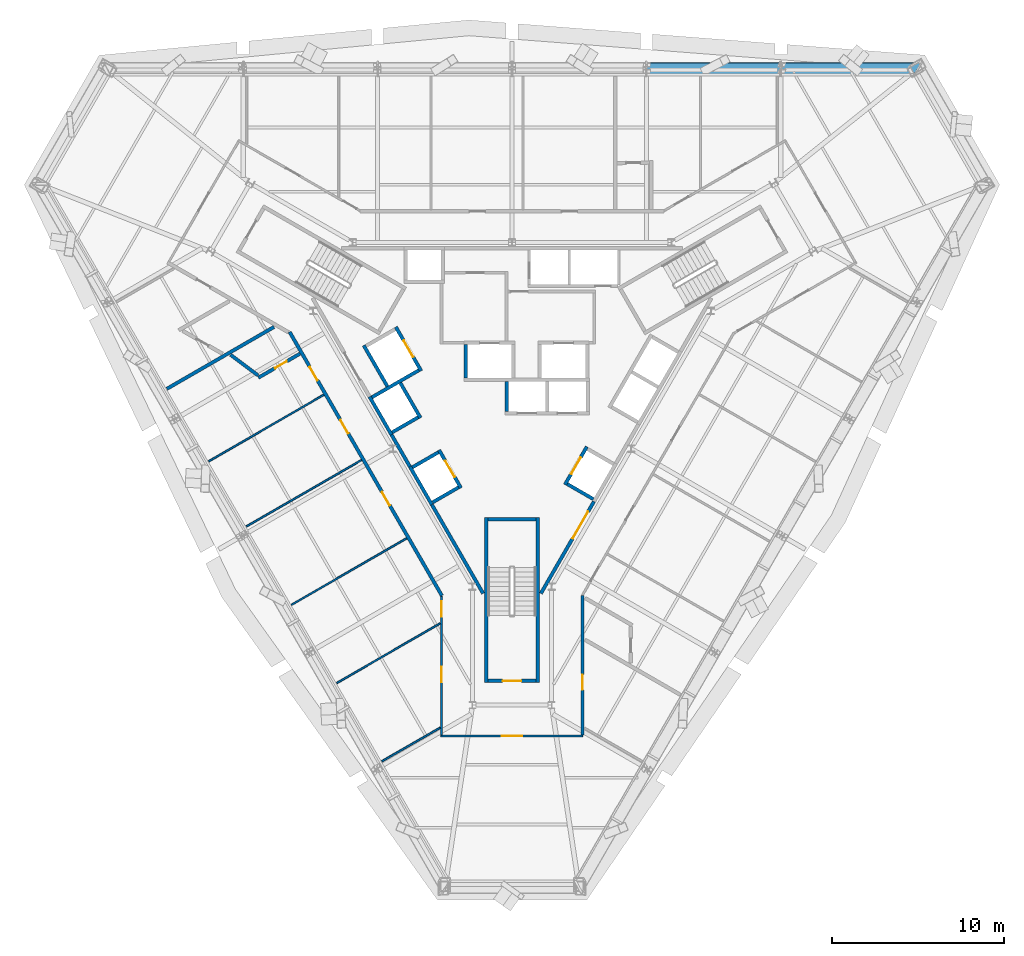
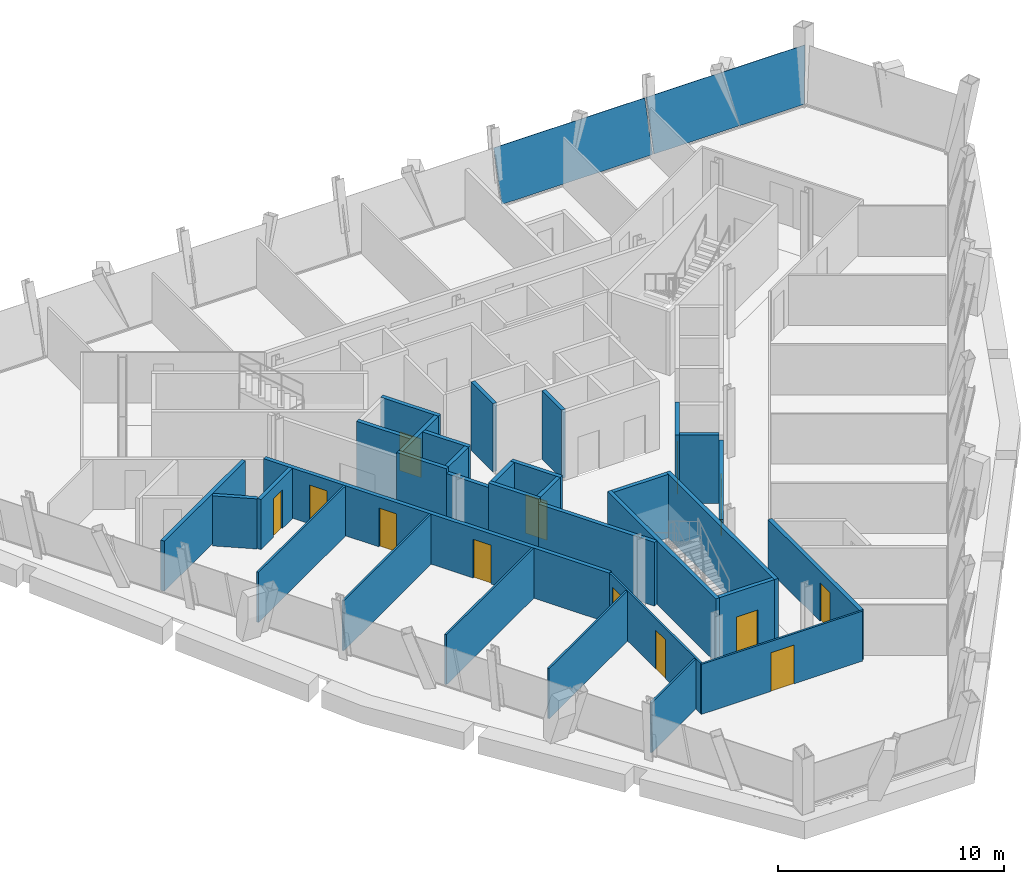
# One storey, part 7 of 12: 33 walls, 13 doors, 2 plates, 13 openings, 1 element without a shape of its own.
"""IFC4 building model written with IfcOpenShell, lengths in metres."""

from ifc_helpers import new_model, si_unit, direction, frame, frame_2d, origin, place, context, subcontext, project, spatial, polyline, rectangle, outline, extrude, material, layer, layer_set, type_object, element, fill, aggregate, save


model = new_model("IFC4")

# Units and contexts
model_context = context("Model", 3, precision=1e-05, world=origin(), true_north=direction((0.0, 1.0)))
body_context = subcontext(model_context, "Body", "Model", "MODEL_VIEW")
ifc_project = project(units=[si_unit("LENGTHUNIT", "METRE"), si_unit("AREAUNIT", "SQUARE_METRE"), si_unit("VOLUMEUNIT", "CUBIC_METRE"), si_unit("PLANEANGLEUNIT", "RADIAN"), si_unit("MASSUNIT", "GRAM", prefix="KILO")], contexts=[model_context])

# Site, building, storey
site_placement = place(None, origin())
site = spatial("IfcSite", under=ifc_project, at=site_placement, CompositionType="ELEMENT")
building_placement = place(site_placement, origin())
building = spatial("IfcBuilding", under=site, at=building_placement, Name="Verrane Prism Tower", CompositionType="ELEMENT")
storey_placement = place(building_placement, frame((0.0, 0.0, 185.800048828125)))
storey = spatial("IfcBuildingStorey", under=building, at=storey_placement, Name="L46", CompositionType="ELEMENT", Elevation=185.800048828125)

# Curtain wall, plates
ifc_material_1 = material(Name="Aluminium framed insulated glazing", Category="aluminium")
curtain_wall_type = type_object("IfcCurtainWallType", Name="Curtain wall CW-A 8400 module", PredefinedType="NOTDEFINED", material=ifc_material_1)
curtain_wall_placement = place(storey_placement, origin())
curtain_wall = element("IfcCurtainWall", 1, at=curtain_wall_placement, inside=storey, type_object=curtain_wall_type, Name="Glazed curtain wall north face L46", PredefinedType="NOTDEFINED")
ifc_material_2 = material(Name="Low-iron insulating glass unit", Category="glass")
ifc_layer_1 = layer(ifc_material_2, 0.031982421875)
ifc_layer_set_1 = layer_set([ifc_layer_1], Name="Glazing panel IGU 32")
plate_type = type_object("IfcPlateType", Name="Glazing panel IGU 32", PredefinedType="CURTAIN_PANEL", material=ifc_layer_set_1)
plate_1_placement = place(storey_placement, frame((23.33837890625, 17.73095703125, 0.070068359375), z_axis=(0.0, -0.966670784166, 0.256022645562), x_axis=(-1.0, 0.0, 0.0)))
plate_1 = element("IfcPlate", 2, at=plate_1_placement, type_object=plate_type, Name="CW44.2 panel 1", PredefinedType="CURTAIN_PANEL", context=body_context, shape_type="SweptSolid", body=[
    extrude(outline(polyline([(0.0, 0.0), (7.69775390625, 0.0), (7.69775390625, -2.733942422709821), (-0.439453125, -2.733942422709821), (0.0, 0.0)])), origin(), (0.0, 0.0, -1.0), 0.031982421875),
])
plate_2_placement = place(storey_placement, frame((15.570556640625, 17.73095703125, 0.070068359375), z_axis=(0.0, -0.966670784166, 0.256022645562), x_axis=(-1.0, 0.0, 0.0)))
plate_2 = element("IfcPlate", 3, at=plate_2_placement, type_object=plate_type, Name="CW44.2 panel 2", PredefinedType="CURTAIN_PANEL", context=body_context, shape_type="SweptSolid", body=[
    extrude(outline(polyline([(0.0, 0.0), (7.732666015625, 0.0), (7.732666015625, -2.733942422709821), (0.0, -2.733942422709821), (0.0, 0.0)])), origin(), (0.0, 0.0, -1.0), 0.031982421875),
])
aggregate(curtain_wall, [plate_1, plate_2])

# Walls
ifc_material_3 = material(Name="Gypsum board partition", Category="other")
ifc_layer_2 = layer(ifc_material_3, 0.199951171875)
ifc_layer_set_2 = layer_set([ifc_layer_2], Name="CW-200 core boundary wall 2 h")
wall_type_1 = type_object("IfcWallType", Name="CW-200 core boundary wall 2 h", PredefinedType="PARTITIONING", material=ifc_layer_set_2)
wall_1_placement = place(storey_placement, frame((-7.0048828125, -3.18701171875, 0.0), z_axis=(0.0, 0.0, 1.0), x_axis=(0.499689606989, -0.866204535123, 0.0)))
element("IfcWall", 4, at=wall_1_placement, inside=storey, type_object=wall_type_1, Name="Core boundary wall CW3-003", PredefinedType="PARTITIONING", context=body_context, shape_type="SweptSolid", body=[
    extrude(rectangle(XDim=2.144775390625, YDim=0.199951171875, at=frame_2d((1.072265625, 0.0))), origin(), (0.0, 0.0, 1.0), 3.449951171875),
])
wall_2_placement = place(storey_placement, frame((-4.655029296875, -7.257080078125, 0.0), z_axis=(0.0, 0.0, 1.0), x_axis=(0.499966124405, -0.866044960985, 0.0)))
element("IfcWall", 5, at=wall_2_placement, inside=storey, type_object=wall_type_1, Name="Core boundary wall CW3-004", PredefinedType="PARTITIONING", context=body_context, shape_type="SweptSolid", body=[
    extrude(rectangle(XDim=5.95556640625, YDim=0.199951171875, at=frame_2d((2.977783203125, 0.0))), origin(), (0.0, 0.0, 1.0), 3.449951171875),
])

# Wall, opening, door
wall_3_placement = place(storey_placement, frame((1.677490234375, -12.414794921875, 0.0), z_axis=(0.0, 0.0, 1.0), x_axis=(0.500054337157, 0.865994029939, 0.0)))
wall_3 = element("IfcWall", 6, at=wall_3_placement, inside=storey, type_object=wall_type_1, Name="Core boundary wall CW3-006", PredefinedType="PARTITIONING", context=body_context, shape_type="SweptSolid", body=[
    extrude(rectangle(XDim=6.176513671875, YDim=0.199951171875, at=frame_2d((3.08837890625, 0.0))), origin(), (0.0, 0.0, 1.0), 3.449951171875),
])
opening_1_placement = place(wall_3_placement, frame((3.695068359375, 0.0, 0.0)))
opening_1 = element("IfcOpeningElement", 7, at=opening_1_placement, cuts=wall_3, Name="Opening D44515", PredefinedType="OPENING", context=body_context, shape_type="SweptSolid", body=[
    extrude(rectangle(XDim=1.800048828125, YDim=2.10009765625, at=frame_2d((0.89990234375, 1.050048828125))), frame((0.0, 0.10986328125, 0.0), z_axis=(0.0, -1.0, 0.0), x_axis=(1.0, 0.0, 0.0)), (0.0, 0.0, 1.0), 0.219970703125),
])
ifc_material_4 = material(Name="Timber veneered door leaf", Category="wood")
door_type_1 = type_object("IfcDoorType", Name="DR-1800x2100 FD60 double leaf lift lobby", OperationType="NOTDEFINED", PredefinedType="DOOR", material=ifc_material_4)
door_1_placement = place(opening_1_placement, origin())
door_1 = element("IfcDoor", 8, at=door_1_placement, inside=storey, type_object=door_type_1, Name="Lift lobby door D44515", OperationType="DOUBLE_DOOR_SINGLE_SWING", OverallHeight=2.10009765625, OverallWidth=1.800048828125, PredefinedType="DOOR", context=body_context, shape_type="SweptSolid", body=[
    extrude(rectangle(XDim=1.800048828125, YDim=2.10009765625, at=frame_2d((0.89990234375, 1.050048828125))), frame((0.0, 0.02490234375, 0.0), z_axis=(0.0, -1.0, 0.0), x_axis=(1.0, 0.0, 0.0)), (0.0, 0.0, 1.0), 0.050048828125),
])
fill(opening_1, door_1)

ifc_material_5 = material(Name="Concrete C40/50", Category="concrete")
ifc_layer_3 = layer(ifc_material_5, 0.199951171875)
ifc_layer_set_3 = layer_set([ifc_layer_3], Name="CW-200 stair core wall concrete C40/50 3 h")
wall_type_2 = type_object("IfcWallType", Name="CW-200 stair core wall concrete C40/50 3 h", PredefinedType="PARTITIONING", material=ifc_layer_set_3)
wall_4_placement = place(storey_placement, frame((-1.39990234375, -17.5, 0.0), z_axis=(0.0, 0.0, 1.0), x_axis=(1.0, 0.0, 0.0)))
wall_4 = element("IfcWall", 9, at=wall_4_placement, inside=storey, type_object=wall_type_2, Name="Stair 3 enclosure wall", PredefinedType="PARTITIONING", context=body_context, shape_type="SweptSolid", body=[
    extrude(rectangle(XDim=2.7998046875, YDim=0.199951171875, at=frame_2d((1.39990234375, 0.0))), origin(), (0.0, 0.0, 1.0), 3.449951171875),
])
opening_2_placement = place(wall_4_placement, frame((0.85009765625, 0.0, 0.0)))
opening_2 = element("IfcOpeningElement", 10, at=opening_2_placement, cuts=wall_4, Name="Opening D44502", PredefinedType="OPENING", context=body_context, shape_type="SweptSolid", body=[
    extrude(rectangle(XDim=1.10009765625, YDim=2.10009765625, at=frame_2d((0.550048828125, 1.050048828125))), frame((0.0, 0.10986328125, 0.0), z_axis=(0.0, -1.0, 0.0), x_axis=(1.0, 0.0, 0.0)), (0.0, 0.0, 1.0), 0.219970703125),
])
ifc_material_6 = material(Name="Timber veneered door leaf", Category="wood")
door_type_2 = type_object("IfcDoorType", Name="DR-1100x2100 FD90 single leaf stair", OperationType="NOTDEFINED", PredefinedType="DOOR", material=ifc_material_6)
door_2_placement = place(opening_2_placement, origin())
door_2 = element("IfcDoor", 11, at=door_2_placement, inside=storey, type_object=door_type_2, Name="Stair 3 door", OperationType="SINGLE_SWING_LEFT", OverallHeight=2.10009765625, OverallWidth=1.10009765625, PredefinedType="DOOR", context=body_context, shape_type="SweptSolid", body=[
    extrude(rectangle(XDim=1.10009765625, YDim=2.10009765625, at=frame_2d((0.550048828125, 1.050048828125))), frame((0.0, 0.02490234375, 0.0), z_axis=(0.0, -1.0, 0.0), x_axis=(1.0, 0.0, 0.0)), (0.0, 0.0, 1.0), 0.050048828125),
])
fill(opening_2, door_2)

# Walls
for number, where, z_axis, x_axis, name in (
    (12, (1.5, -8.0, 0.0), (0.0, 0.0, 1.0), (0.0, -1.0, 0.0), "Stair 3 enclosure wall"),
    (13, (-1.5, -8.0, 0.0), (0.0, 0.0, 1.0), (0.0, -1.0, 0.0), "Stair 3 enclosure wall"),
):
    element("IfcWall", number, at=place(storey_placement, frame(where, z_axis=z_axis, x_axis=x_axis)), inside=storey, type_object=wall_type_2, Name=name, PredefinedType="PARTITIONING", context=body_context, shape_type="SweptSolid", body=[
        extrude(rectangle(XDim=9.60009765625, YDim=0.199951171875, at=frame_2d((4.800048828125, 0.0))), origin(), (0.0, 0.0, 1.0), 3.449951171875),
    ])
wall_5_placement = place(storey_placement, frame((-1.39990234375, -8.10009765625, 0.0), z_axis=(0.0, 0.0, 1.0), x_axis=(1.0, 0.0, 0.0)))
element("IfcWall", 14, at=wall_5_placement, inside=storey, type_object=wall_type_2, Name="Stair 3 enclosure wall", PredefinedType="PARTITIONING", context=body_context, shape_type="SweptSolid", body=[
    extrude(rectangle(XDim=2.7998046875, YDim=0.199951171875, at=frame_2d((1.39990234375, 0.0))), origin(), (0.0, 0.0, 1.0), 3.449951171875),
])
ifc_material_7 = material(Name="Gypsum board shaft wall assembly", Category="other")
ifc_layer_4 = layer(ifc_material_7, 0.199951171875)
ifc_layer_set_4 = layer_set([ifc_layer_4], Name="HW-200 lift shaft wall 2 h")
wall_type_3 = type_object("IfcWallType", Name="HW-200 lift shaft wall 2 h", PredefinedType="PARTITIONING", material=ifc_layer_set_4)
for number, where, z_axis, x_axis, name in (
    (15, (-4.61962890625, -7.118408203125, 0.0), (0.0, 0.0, 1.0), (0.866036909293, 0.499980071345, 0.0), "Lift shaft wall"),
    (16, (-5.794677734375, -5.083251953125, 0.0), (0.0, 0.0, 1.0), (0.866036909293, 0.499980071345, 0.0), "Lift shaft wall"),
    (17, (-6.9697265625, -3.048095703125, 0.0), (0.0, 0.0, 1.0), (0.866036909293, 0.499980071345, 0.0), "Lift shaft wall"),
):
    element("IfcWall", number, at=place(storey_placement, frame(where, z_axis=z_axis, x_axis=x_axis)), inside=storey, type_object=wall_type_3, Name=name, PredefinedType="PARTITIONING", context=body_context, shape_type="SweptSolid", body=[
        extrude(rectangle(XDim=1.75, YDim=0.199951171875, at=frame_2d((0.875, 0.0))), origin(), (0.0, 0.0, 1.0), 3.699951171875),
    ])
wall_6_placement = place(storey_placement, frame((-8.14453125, -1.012939453125, 0.0), z_axis=(0.0, 0.0, 1.0), x_axis=(0.866016494683, 0.500015430699, 0.0)))
element("IfcWall", 18, at=wall_6_placement, inside=storey, type_object=wall_type_3, Name="Lift shaft wall", PredefinedType="PARTITIONING", context=body_context, shape_type="SweptSolid", body=[
    extrude(rectangle(XDim=3.14990234375, YDim=0.199951171875, at=frame_2d((1.574951171875, 0.0))), origin(), (0.0, 0.0, 1.0), 3.699951171875),
])

# Wall, opening, door
wall_7_placement = place(storey_placement, frame((3.077392578125, -6.089599609375, 0.0), z_axis=(0.0, 0.0, 1.0), x_axis=(0.500062241894, 0.865989465428, 0.0)))
wall_7 = element("IfcWall", 19, at=wall_7_placement, inside=storey, type_object=wall_type_3, Name="Lift shaft wall", PredefinedType="PARTITIONING", context=body_context, shape_type="SweptSolid", body=[
    extrude(rectangle(XDim=2.550048828125, YDim=0.199951171875, at=frame_2d((1.27490234375, 0.0))), origin(), (0.0, 0.0, 1.0), 3.699951171875),
])
opening_3_placement = place(wall_7_placement, frame((0.72509765625, 0.0, 0.0)))
opening_3 = element("IfcOpeningElement", 20, at=opening_3_placement, cuts=wall_7, Name="Opening D44505", PredefinedType="OPENING", context=body_context, shape_type="SweptSolid", body=[
    extrude(rectangle(XDim=1.10009765625, YDim=2.10009765625, at=frame_2d((0.550048828125, 1.050048828125))), frame((0.0, 0.10986328125, 0.0), z_axis=(0.0, -1.0, 0.0), x_axis=(1.0, 0.0, 0.0)), (0.0, 0.0, 1.0), 0.219970703125),
])
ifc_material_8 = material(Name="Stainless steel sliding landing door", Category="steel")
door_type_3 = type_object("IfcDoorType", Name="LD-1100x2100 lift landing door FD90 sliding", OperationType="NOTDEFINED", PredefinedType="DOOR", material=ifc_material_8)
door_3_placement = place(opening_3_placement, origin())
door_3 = element("IfcDoor", 21, at=door_3_placement, inside=storey, type_object=door_type_3, Name="Bank B lift 3 landing door", OperationType="SLIDING_TO_LEFT", OverallHeight=2.10009765625, OverallWidth=1.10009765625, PredefinedType="DOOR", context=body_context, shape_type="SweptSolid", body=[
    extrude(rectangle(XDim=1.10009765625, YDim=2.10009765625, at=frame_2d((0.550048828125, 1.050048828125))), frame((0.0, 0.02490234375, 0.0), z_axis=(0.0, -1.0, 0.0), x_axis=(1.0, 0.0, 0.0)), (0.0, 0.0, 1.0), 0.050048828125),
])
fill(opening_3, door_3)

# Walls
wall_8_placement = place(storey_placement, frame((-0.304931640625, -1.85009765625, 0.0), z_axis=(0.0, 0.0, 1.0), x_axis=(0.0, 1.0, 0.0)))
element("IfcWall", 22, at=wall_8_placement, inside=storey, type_object=wall_type_3, Name="Lift shaft wall", PredefinedType="PARTITIONING", context=body_context, shape_type="SweptSolid", body=[
    extrude(rectangle(XDim=1.75, YDim=0.199951171875, at=frame_2d((0.875, 0.0))), origin(), (0.0, 0.0, 1.0), 3.699951171875),
])
wall_9_placement = place(storey_placement, frame((-2.68505859375, 0.10009765625, 0.0), z_axis=(0.0, 0.0, 1.0), x_axis=(0.0, 1.0, 0.0)))
element("IfcWall", 23, at=wall_9_placement, inside=storey, type_object=wall_type_3, Name="Lift shaft wall", PredefinedType="PARTITIONING", context=body_context, shape_type="SweptSolid", body=[
    extrude(rectangle(XDim=1.949951171875, YDim=0.199951171875, at=frame_2d((0.97509765625, 0.0))), origin(), (0.0, 0.0, 1.0), 3.699951171875),
])

# Wall, opening, door
wall_10_placement = place(storey_placement, frame((-5.280029296875, 0.525390625, 0.0), z_axis=(0.0, 0.0, 1.0), x_axis=(-0.500037662692, 0.866003658127, 0.0)))
wall_10 = element("IfcWall", 24, at=wall_10_placement, inside=storey, type_object=wall_type_3, Name="Lift shaft wall", PredefinedType="PARTITIONING", context=body_context, shape_type="SweptSolid", body=[
    extrude(rectangle(XDim=2.949951171875, YDim=0.199951171875, at=frame_2d((1.47509765625, 0.0))), origin(), (0.0, 0.0, 1.0), 3.699951171875),
])
opening_4_placement = place(wall_10_placement, frame((0.925048828125, 0.0, 0.0)))
opening_4 = element("IfcOpeningElement", 25, at=opening_4_placement, cuts=wall_10, Name="Opening D44509", PredefinedType="OPENING", context=body_context, shape_type="SweptSolid", body=[
    extrude(rectangle(XDim=1.10009765625, YDim=2.10009765625, at=frame_2d((0.550048828125, 1.050048828125))), frame((0.0, 0.10986328125, 0.0), z_axis=(0.0, -1.0, 0.0), x_axis=(1.0, 0.0, 0.0)), (0.0, 0.0, 1.0), 0.219970703125),
])
door_4_placement = place(opening_4_placement, origin())
door_4 = element("IfcDoor", 26, at=door_4_placement, inside=storey, type_object=door_type_3, Name="Service lift 1 landing door", OperationType="SLIDING_TO_LEFT", OverallHeight=2.10009765625, OverallWidth=1.10009765625, PredefinedType="DOOR", context=body_context, shape_type="SweptSolid", body=[
    extrude(rectangle(XDim=1.10009765625, YDim=2.10009765625, at=frame_2d((0.550048828125, 1.050048828125))), frame((0.0, 0.02490234375, 0.0), z_axis=(0.0, -1.0, 0.0), x_axis=(1.0, 0.0, 0.0)), (0.0, 0.0, 1.0), 0.050048828125),
])
fill(opening_4, door_4)

wall_11_placement = place(storey_placement, frame((-2.967529296875, -6.280029296875, 0.0), z_axis=(0.0, 0.0, 1.0), x_axis=(-0.499990435942, 0.866030925526, 0.0)))
wall_11 = element("IfcWall", 27, at=wall_11_placement, inside=storey, type_object=wall_type_3, Name="Lift shaft wall", PredefinedType="PARTITIONING", context=body_context, shape_type="SweptSolid", body=[
    extrude(rectangle(XDim=2.5498046875, YDim=0.199951171875, at=frame_2d((1.27490234375, 0.0))), origin(), (0.0, 0.0, 1.0), 3.699951171875),
])
opening_5_placement = place(wall_11_placement, frame((0.72509765625, 0.0, 0.0)))
opening_5 = element("IfcOpeningElement", 28, at=opening_5_placement, cuts=wall_11, Name="Opening D44506", PredefinedType="OPENING", context=body_context, shape_type="SweptSolid", body=[
    extrude(rectangle(XDim=1.10009765625, YDim=2.10009765625, at=frame_2d((0.550048828125, 1.050048828125))), frame((0.0, 0.10986328125, 0.0), z_axis=(0.0, -1.0, 0.0), x_axis=(1.0, 0.0, 0.0)), (0.0, 0.0, 1.0), 0.219970703125),
])
door_5_placement = place(opening_5_placement, origin())
door_5 = element("IfcDoor", 29, at=door_5_placement, inside=storey, type_object=door_type_3, Name="Bank B lift 4 landing door", OperationType="SLIDING_TO_RIGHT", OverallHeight=2.10009765625, OverallWidth=1.10009765625, PredefinedType="DOOR", context=body_context, shape_type="SweptSolid", body=[
    extrude(rectangle(XDim=1.10009765625, YDim=2.10009765625, at=frame_2d((0.550048828125, 1.050048828125))), frame((0.0, 0.02490234375, 0.0), z_axis=(0.0, -1.0, 0.0), x_axis=(1.0, 0.0, 0.0)), (0.0, 0.0, 1.0), 0.050048828125),
])
fill(opening_5, door_5)

# Walls
wall_12_placement = place(storey_placement, frame((-5.317626953125, -2.209716796875, 0.0), z_axis=(0.0, 0.0, 1.0), x_axis=(-0.499938297808, 0.866061024631, 0.0)))
element("IfcWall", 30, at=wall_12_placement, inside=storey, type_object=wall_type_3, Name="Lift shaft wall", PredefinedType="PARTITIONING", context=body_context, shape_type="SweptSolid", body=[
    extrude(rectangle(XDim=2.349853515625, YDim=0.199951171875, at=frame_2d((1.1748046875, 0.0))), origin(), (0.0, 0.0, 1.0), 3.699951171875),
])
wall_13_placement = place(storey_placement, frame((-7.241943359375, -0.37646484375, 0.0), z_axis=(0.0, 0.0, 1.0), x_axis=(-0.499996545922, 0.866027397988, 0.0)))
element("IfcWall", 31, at=wall_13_placement, inside=storey, type_object=wall_type_3, Name="Lift shaft wall", PredefinedType="PARTITIONING", context=body_context, shape_type="SweptSolid", body=[
    extrude(rectangle(XDim=2.75, YDim=0.199951171875, at=frame_2d((1.375, 0.0))), origin(), (0.0, 0.0, 1.0), 3.699951171875),
])
for number, where, z_axis, x_axis, name in (
    (32, (-4.65625, -7.255126953125, 0.0), (0.0, 0.0, 1.0), (-0.499990435942, 0.866030925526, 0.0), "Lift shaft wall"),
    (33, (-7.00634765625, -3.184814453125, 0.0), (0.0, 0.0, 1.0), (-0.499990435942, 0.866030925526, 0.0), "Lift shaft wall"),
):
    element("IfcWall", number, at=place(storey_placement, frame(where, z_axis=z_axis, x_axis=x_axis)), inside=storey, type_object=wall_type_3, Name=name, PredefinedType="PARTITIONING", context=body_context, shape_type="SweptSolid", body=[
        extrude(rectangle(XDim=2.5498046875, YDim=0.199951171875, at=frame_2d((1.27490234375, 0.0))), origin(), (0.0, 0.0, 1.0), 3.699951171875),
    ])
wall_14_placement = place(storey_placement, frame((4.729736328125, -6.927978515625, 0.0), z_axis=(0.0, 0.0, 1.0), x_axis=(-0.866036909293, 0.499980071345, 0.0)))
element("IfcWall", 34, at=wall_14_placement, inside=storey, type_object=wall_type_3, Name="Lift shaft wall", PredefinedType="PARTITIONING", context=body_context, shape_type="SweptSolid", body=[
    extrude(rectangle(XDim=1.75, YDim=0.199951171875, at=frame_2d((0.875, 0.0))), origin(), (0.0, 0.0, 1.0), 3.699951171875),
])
ifc_material_9 = material(Name="Gypsum board partition", Category="other")
ifc_layer_5 = layer(ifc_material_9, 0.10009765625)
ifc_layer_set_5 = layer_set([ifc_layer_5], Name="PW-100 room partition")
wall_type_4 = type_object("IfcWallType", Name="PW-100 room partition", PredefinedType="PARTITIONING", material=ifc_layer_set_5)
wall_15_placement = place(storey_placement, frame((-17.631591796875, -4.73095703125, 0.0), z_axis=(0.0, 0.0, 1.0), x_axis=(0.866002098189, 0.500040364304, 0.0)))
element("IfcWall", 35, at=wall_15_placement, inside=storey, type_object=wall_type_4, Name="Room partition 007", PredefinedType="PARTITIONING", context=body_context, shape_type="SweptSolid", body=[
    extrude(rectangle(XDim=7.733154296875, YDim=0.10009765625, at=frame_2d((3.86669921875, 0.0))), origin(), (0.0, 0.0, 1.0), 2.712890625),
])
for number, where, z_axis, x_axis, name in (
    (36, (-15.4423828125, -8.522705078125, 0.0), (0.0, 0.0, 1.0), (0.866007875589, 0.500030358497, 0.0), "Room partition 011"),
    (37, (-12.8154296875, -13.07275390625, 0.0), (0.0, 0.0, 1.0), (0.866007875589, 0.500030358497, 0.0), "Room partition 014"),
):
    element("IfcWall", number, at=place(storey_placement, frame(where, z_axis=z_axis, x_axis=x_axis)), inside=storey, type_object=wall_type_4, Name=name, PredefinedType="PARTITIONING", context=body_context, shape_type="SweptSolid", body=[
        extrude(rectangle(XDim=7.73291015625, YDim=0.10009765625, at=frame_2d((3.866455078125, 0.0))), origin(), (0.0, 0.0, 1.0), 2.712890625),
    ])
wall_16_placement = place(storey_placement, frame((-10.188720703125, -17.623046875, 0.0), z_axis=(0.0, 0.0, 1.0), x_axis=(0.866045070519, 0.499965934669, 0.0)))
element("IfcWall", 38, at=wall_16_placement, inside=storey, type_object=wall_type_4, Name="Room partition 015", PredefinedType="PARTITIONING", context=body_context, shape_type="SweptSolid", body=[
    extrude(rectangle(XDim=6.94384765625, YDim=0.10009765625, at=frame_2d((3.471923828125, 0.0))), origin(), (0.0, 0.0, 1.0), 2.712890625),
])
wall_17_placement = place(storey_placement, frame((-7.561767578125, -22.173095703125, 0.0), z_axis=(0.0, 0.0, 1.0), x_axis=(0.866079547155, 0.499906209203, 0.0)))
element("IfcWall", 39, at=wall_17_placement, inside=storey, type_object=wall_type_4, Name="Room partition 018", PredefinedType="PARTITIONING", context=body_context, shape_type="SweptSolid", body=[
    extrude(rectangle(XDim=3.910400390625, YDim=0.10009765625, at=frame_2d((1.955078125, 0.0))), origin(), (0.0, 0.0, 1.0), 2.712890625),
])

# Wall, openings, doors
wall_18_placement = place(storey_placement, frame((-4.10009765625, -20.64990234375, 0.0), z_axis=(0.0, 0.0, 1.0), x_axis=(0.0, 1.0, 0.0)))
wall_18 = element("IfcWall", 40, at=wall_18_placement, inside=storey, type_object=wall_type_4, Name="Room partition 020", PredefinedType="PARTITIONING", context=body_context, shape_type="SweptSolid", body=[
    extrude(rectangle(XDim=8.06298828125, YDim=0.10009765625, at=frame_2d((4.031494140625, 0.0))), origin(), (0.0, 0.0, 1.0), 2.712890625),
])
opening_6_placement = place(wall_18_placement, frame((6.89208984375, 0.0, 0.0)))
opening_6 = element("IfcOpeningElement", 41, at=opening_6_placement, cuts=wall_18, Name="Opening D44023", PredefinedType="OPENING", context=body_context, shape_type="SweptSolid", body=[
    extrude(rectangle(XDim=0.89990234375, YDim=2.10009765625, at=frame_2d((0.449951171875, 1.050048828125))), frame((0.0, 0.06005859375, 0.0), z_axis=(0.0, -1.0, 0.0), x_axis=(1.0, 0.0, 0.0)), (0.0, 0.0, 1.0), 0.1201171875),
])
opening_7_placement = place(wall_18_placement, frame((3.074951171875, 0.0, 0.0)))
opening_7 = element("IfcOpeningElement", 42, at=opening_7_placement, cuts=wall_18, Name="Opening D44024", PredefinedType="OPENING", context=body_context, shape_type="SweptSolid", body=[
    extrude(rectangle(XDim=0.89990234375, YDim=2.10009765625, at=frame_2d((0.449951171875, 1.050048828125))), frame((0.0, 0.06005859375, 0.0), z_axis=(0.0, -1.0, 0.0), x_axis=(1.0, 0.0, 0.0)), (0.0, 0.0, 1.0), 0.1201171875),
])
ifc_material_10 = material(Name="Timber veneered door leaf", Category="wood")
door_type_4 = type_object("IfcDoorType", Name="DR-900x2100 single leaf unit", OperationType="NOTDEFINED", PredefinedType="DOOR", material=ifc_material_10)
door_6_placement = place(opening_6_placement, origin())
door_6 = element("IfcDoor", 43, at=door_6_placement, inside=storey, type_object=door_type_4, Name="Study door", OperationType="SINGLE_SWING_LEFT", OverallHeight=2.10009765625, OverallWidth=0.89990234375, PredefinedType="DOOR", context=body_context, shape_type="SweptSolid", body=[
    extrude(rectangle(XDim=0.89990234375, YDim=2.10009765625, at=frame_2d((0.449951171875, 1.050048828125))), frame((0.0, 0.02490234375, 0.0), z_axis=(0.0, -1.0, 0.0), x_axis=(1.0, 0.0, 0.0)), (0.0, 0.0, 1.0), 0.050048828125),
])
fill(opening_6, door_6)
door_7_placement = place(opening_7_placement, origin())
door_7 = element("IfcDoor", 44, at=door_7_placement, inside=storey, type_object=door_type_4, Name="Study door", OperationType="SINGLE_SWING_RIGHT", OverallHeight=2.10009765625, OverallWidth=0.89990234375, PredefinedType="DOOR", context=body_context, shape_type="SweptSolid", body=[
    extrude(rectangle(XDim=0.89990234375, YDim=2.10009765625, at=frame_2d((0.449951171875, 1.050048828125))), frame((0.0, 0.02490234375, 0.0), z_axis=(0.0, -1.0, 0.0), x_axis=(1.0, 0.0, 0.0)), (0.0, 0.0, 1.0), 0.050048828125),
])
fill(opening_7, door_7)

# Wall, opening, door
wall_19_placement = place(storey_placement, frame((4.10009765625, -20.699951171875, 0.0), z_axis=(0.0, 0.0, 1.0), x_axis=(-1.0, 0.0, 0.0)))
wall_19 = element("IfcWall", 45, at=wall_19_placement, inside=storey, type_object=wall_type_4, Name="Room partition 021", PredefinedType="PARTITIONING", context=body_context, shape_type="SweptSolid", body=[
    extrude(rectangle(XDim=8.25, YDim=0.10009765625, at=frame_2d((4.125, 0.0))), origin(), (0.0, 0.0, 1.0), 2.712890625),
])
opening_8_placement = place(wall_19_placement, frame((3.5, 0.0, 0.0)))
opening_8 = element("IfcOpeningElement", 46, at=opening_8_placement, cuts=wall_19, Name="Opening D44025", PredefinedType="OPENING", context=body_context, shape_type="SweptSolid", body=[
    extrude(rectangle(XDim=1.199951171875, YDim=2.10009765625, at=frame_2d((0.60009765625, 1.050048828125))), frame((0.0, 0.06005859375, 0.0), z_axis=(0.0, -1.0, 0.0), x_axis=(1.0, 0.0, 0.0)), (0.0, 0.0, 1.0), 0.1201171875),
])
ifc_material_11 = material(Name="Timber veneered door leaf", Category="wood")
door_type_5 = type_object("IfcDoorType", Name="DR-1200x2100 single leaf unit", OperationType="NOTDEFINED", PredefinedType="DOOR", material=ifc_material_11)
door_8_placement = place(opening_8_placement, origin())
door_8 = element("IfcDoor", 47, at=door_8_placement, inside=storey, type_object=door_type_5, Name="Living And Dining Room door", OperationType="SINGLE_SWING_RIGHT", OverallHeight=2.10009765625, OverallWidth=1.199951171875, PredefinedType="DOOR", context=body_context, shape_type="SweptSolid", body=[
    extrude(rectangle(XDim=1.199951171875, YDim=2.10009765625, at=frame_2d((0.60009765625, 1.050048828125))), frame((0.0, 0.02490234375, 0.0), z_axis=(0.0, -1.0, 0.0), x_axis=(1.0, 0.0, 0.0)), (0.0, 0.0, 1.0), 0.050048828125),
])
fill(opening_8, door_8)

# Walls
ifc_material_12 = material(Name="Gypsum board partition", Category="other")
ifc_layer_6 = layer(ifc_material_12, 0.199951171875)
ifc_layer_set_6 = layer_set([ifc_layer_6], Name="PW-200 plumbing wall")
wall_type_5 = type_object("IfcWallType", Name="PW-200 plumbing wall", PredefinedType="PARTITIONING", material=ifc_layer_set_6)
wall_20_placement = place(storey_placement, frame((-20.063720703125, -0.51806640625, 0.0), z_axis=(0.0, 0.0, 1.0), x_axis=(0.865994046034, 0.500054309285, 0.0)))
element("IfcWall", 48, at=wall_20_placement, inside=storey, type_object=wall_type_5, Name="Plumbing wall 002", PredefinedType="PARTITIONING", context=body_context, shape_type="SweptSolid", body=[
    extrude(rectangle(XDim=7.196044921875, YDim=0.199951171875, at=frame_2d((3.59814453125, 0.0))), origin(), (0.0, 0.0, 1.0), 2.712890625),
])
wall_21_placement = place(storey_placement, frame((-16.36181640625, 1.459228515625, 0.0), z_axis=(0.0, 0.0, 1.0), x_axis=(0.800219351666, -0.59970741968, 0.0)))
element("IfcWall", 49, at=wall_21_placement, inside=storey, type_object=wall_type_5, Name="Plumbing wall 008", PredefinedType="PARTITIONING", context=body_context, shape_type="SweptSolid", body=[
    extrude(rectangle(XDim=2.0029296875, YDim=0.199951171875, at=frame_2d((1.00146484375, 0.0))), origin(), (0.0, 0.0, 1.0), 2.712890625),
])

# Wall, opening, door
wall_22_placement = place(storey_placement, frame((-14.74169921875, 0.1298828125, 0.0), z_axis=(0.0, 0.0, 1.0), x_axis=(0.866003766563, 0.500037474894, 0.0)))
wall_22 = element("IfcWall", 50, at=wall_22_placement, inside=storey, type_object=wall_type_5, Name="Plumbing wall 012", PredefinedType="PARTITIONING", context=body_context, shape_type="SweptSolid", body=[
    extrude(rectangle(XDim=2.795166015625, YDim=0.199951171875, at=frame_2d((1.3974609375, 0.0))), origin(), (0.0, 0.0, 1.0), 2.712890625),
])
opening_9_placement = place(wall_22_placement, frame((1.10009765625, 0.0, 0.0)))
opening_9 = element("IfcOpeningElement", 51, at=opening_9_placement, cuts=wall_22, Name="Opening D44020", PredefinedType="OPENING", context=body_context, shape_type="SweptSolid", body=[
    extrude(rectangle(XDim=0.800048828125, YDim=2.10009765625, at=frame_2d((0.39990234375, 1.050048828125))), frame((0.0, 0.10986328125, 0.0), z_axis=(0.0, -1.0, 0.0), x_axis=(1.0, 0.0, 0.0)), (0.0, 0.0, 1.0), 0.219970703125),
])
ifc_material_13 = material(Name="Timber veneered door leaf", Category="wood")
door_type_6 = type_object("IfcDoorType", Name="DR-800x2100 single leaf bath", OperationType="NOTDEFINED", PredefinedType="DOOR", material=ifc_material_13)
door_9_placement = place(opening_9_placement, origin())
door_9 = element("IfcDoor", 52, at=door_9_placement, inside=storey, type_object=door_type_6, Name="Bathroom door", OperationType="SINGLE_SWING_RIGHT", OverallHeight=2.10009765625, OverallWidth=0.800048828125, PredefinedType="DOOR", context=body_context, shape_type="SweptSolid", body=[
    extrude(rectangle(XDim=0.800048828125, YDim=2.10009765625, at=frame_2d((0.39990234375, 1.050048828125))), frame((0.0, 0.02490234375, 0.0), z_axis=(0.0, -1.0, 0.0), x_axis=(1.0, 0.0, 0.0)), (0.0, 0.0, 1.0), 0.050048828125),
])
fill(opening_9, door_9)

# Wall, openings, doors
wall_23_placement = place(storey_placement, frame((-4.074951171875, -12.54541015625, 0.0), z_axis=(0.0, 0.0, 1.0), x_axis=(-0.499997769292, 0.86602669168, 0.0)))
wall_23 = element("IfcWall", 53, at=wall_23_placement, inside=storey, type_object=wall_type_5, Name="Plumbing wall 013", PredefinedType="PARTITIONING", context=body_context, shape_type="SweptSolid", body=[
    extrude(rectangle(XDim=17.7060546875, YDim=0.199951171875, at=frame_2d((8.85302734375, 0.0))), origin(), (0.0, 0.0, 1.0), 2.712890625),
])
opening_10_placement = place(wall_23_placement, frame((14.4599609375, 0.0, 0.0)))
opening_10 = element("IfcOpeningElement", 54, at=opening_10_placement, cuts=wall_23, Name="Opening D44019", PredefinedType="OPENING", context=body_context, shape_type="SweptSolid", body=[
    extrude(rectangle(XDim=0.89990234375, YDim=2.10009765625, at=frame_2d((0.449951171875, 1.050048828125))), frame((0.0, 0.10986328125, 0.0), z_axis=(0.0, -1.0, 0.0), x_axis=(1.0, 0.0, 0.0)), (0.0, 0.0, 1.0), 0.219970703125),
])
opening_11_placement = place(wall_23_placement, frame((10.89599609375, 0.0, 0.0)))
opening_11 = element("IfcOpeningElement", 55, at=opening_11_placement, cuts=wall_23, Name="Opening D44021", PredefinedType="OPENING", context=body_context, shape_type="SweptSolid", body=[
    extrude(rectangle(XDim=0.89990234375, YDim=2.10009765625, at=frame_2d((0.449951171875, 1.050048828125))), frame((0.0, 0.10986328125, 0.0), z_axis=(0.0, -1.0, 0.0), x_axis=(1.0, 0.0, 0.0)), (0.0, 0.0, 1.0), 0.219970703125),
])
opening_12_placement = place(wall_23_placement, frame((6.068115234375, 0.0, 0.0)))
opening_12 = element("IfcOpeningElement", 56, at=opening_12_placement, cuts=wall_23, Name="Opening D44022", PredefinedType="OPENING", context=body_context, shape_type="SweptSolid", body=[
    extrude(rectangle(XDim=0.89990234375, YDim=2.10009765625, at=frame_2d((0.449951171875, 1.050048828125))), frame((0.0, 0.10986328125, 0.0), z_axis=(0.0, -1.0, 0.0), x_axis=(1.0, 0.0, 0.0)), (0.0, 0.0, 1.0), 0.219970703125),
])
ifc_material_14 = material(Name="Timber veneered door leaf", Category="wood")
door_type_7 = type_object("IfcDoorType", Name="DR-900x2100 single leaf inner", OperationType="NOTDEFINED", PredefinedType="DOOR", material=ifc_material_14)
door_10_placement = place(opening_10_placement, origin())
door_10 = element("IfcDoor", 57, at=door_10_placement, inside=storey, type_object=door_type_7, Name="Bedroom door", OperationType="SINGLE_SWING_RIGHT", OverallHeight=2.10009765625, OverallWidth=0.89990234375, PredefinedType="DOOR", context=body_context, shape_type="SweptSolid", body=[
    extrude(rectangle(XDim=0.89990234375, YDim=2.10009765625, at=frame_2d((0.449951171875, 1.050048828125))), frame((0.0, 0.02490234375, 0.0), z_axis=(0.0, -1.0, 0.0), x_axis=(1.0, 0.0, 0.0)), (0.0, 0.0, 1.0), 0.050048828125),
])
fill(opening_10, door_10)
door_11_placement = place(opening_11_placement, origin())
door_11 = element("IfcDoor", 58, at=door_11_placement, inside=storey, type_object=door_type_4, Name="Kitchen door", OperationType="SINGLE_SWING_RIGHT", OverallHeight=2.10009765625, OverallWidth=0.89990234375, PredefinedType="DOOR", context=body_context, shape_type="SweptSolid", body=[
    extrude(rectangle(XDim=0.89990234375, YDim=2.10009765625, at=frame_2d((0.449951171875, 1.050048828125))), frame((0.0, 0.02490234375, 0.0), z_axis=(0.0, -1.0, 0.0), x_axis=(1.0, 0.0, 0.0)), (0.0, 0.0, 1.0), 0.050048828125),
])
fill(opening_11, door_11)
door_12_placement = place(opening_12_placement, origin())
door_12 = element("IfcDoor", 59, at=door_12_placement, inside=storey, type_object=door_type_4, Name="Study door", OperationType="SINGLE_SWING_LEFT", OverallHeight=2.10009765625, OverallWidth=0.89990234375, PredefinedType="DOOR", context=body_context, shape_type="SweptSolid", body=[
    extrude(rectangle(XDim=0.89990234375, YDim=2.10009765625, at=frame_2d((0.449951171875, 1.050048828125))), frame((0.0, 0.02490234375, 0.0), z_axis=(0.0, -1.0, 0.0), x_axis=(1.0, 0.0, 0.0)), (0.0, 0.0, 1.0), 0.050048828125),
])
fill(opening_12, door_12)

# Wall, opening, door
wall_24_placement = place(storey_placement, frame((4.10009765625, -12.527099609375, 0.0), z_axis=(0.0, 0.0, 1.0), x_axis=(0.0, -1.0, 0.0)))
wall_24 = element("IfcWall", 60, at=wall_24_placement, inside=storey, type_object=wall_type_5, Name="Plumbing wall 023", PredefinedType="PARTITIONING", context=body_context, shape_type="SweptSolid", body=[
    extrude(rectangle(XDim=8.122802734375, YDim=0.199951171875, at=frame_2d((4.0615234375, 0.0))), origin(), (0.0, 0.0, 1.0), 2.712890625),
])
opening_13_placement = place(wall_24_placement, frame((4.597900390625, 0.0, 0.0)))
opening_13 = element("IfcOpeningElement", 61, at=opening_13_placement, cuts=wall_24, Name="Opening D44001", PredefinedType="OPENING", context=body_context, shape_type="SweptSolid", body=[
    extrude(rectangle(XDim=0.89990234375, YDim=2.10009765625, at=frame_2d((0.449951171875, 1.050048828125))), frame((0.0, 0.10986328125, 0.0), z_axis=(0.0, -1.0, 0.0), x_axis=(1.0, 0.0, 0.0)), (0.0, 0.0, 1.0), 0.219970703125),
])
door_13_placement = place(opening_13_placement, origin())
door_13 = element("IfcDoor", 62, at=door_13_placement, inside=storey, type_object=door_type_4, Name="Kitchen door", OperationType="SINGLE_SWING_RIGHT", OverallHeight=2.10009765625, OverallWidth=0.89990234375, PredefinedType="DOOR", context=body_context, shape_type="SweptSolid", body=[
    extrude(rectangle(XDim=0.89990234375, YDim=2.10009765625, at=frame_2d((0.449951171875, 1.050048828125))), frame((0.0, 0.02490234375, 0.0), z_axis=(0.0, -1.0, 0.0), x_axis=(1.0, 0.0, 0.0)), (0.0, 0.0, 1.0), 0.050048828125),
])
fill(opening_13, door_13)

save(model, "model.ifc")
